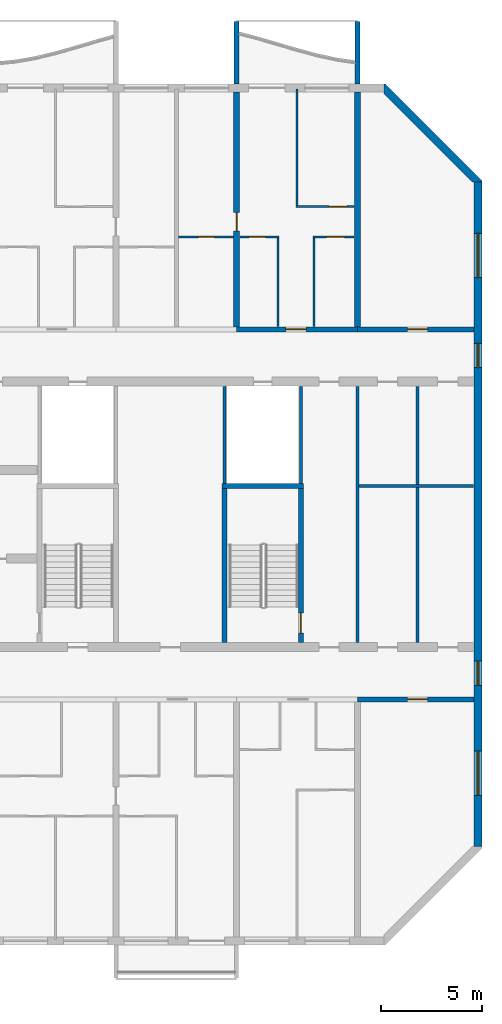
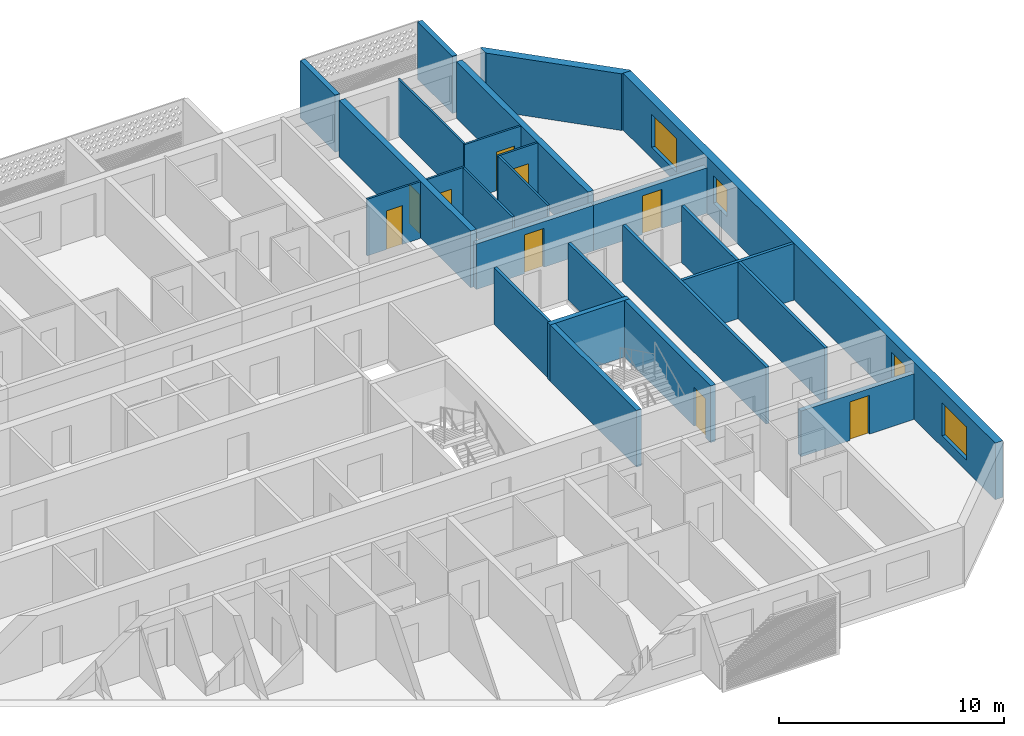
# One storey, part 12 of 32: 24 walls, 9 doors, 4 windows, 13 openings.
"""IFC4 building model written with IfcOpenShell, lengths in metres."""

import ifcopenshell
import ifcopenshell.guid

model = None  # the IFC model being written
_history = None  # IfcOwnerHistory: only IFC2X3 demands one
_inside = {}  # id of a spatial element -> (the spatial element, [elements in it])
_under = {}  # id of a project, library or spatial element -> (it, [spatial elements below it])
_declared = {}  # id of a project -> (the project, [libraries it declares])
_typed = {}  # id of a type object -> (the type object, [elements of that type])
_made_of = {}  # id of a material, layer set ... -> (it, [elements and type objects made of it])


def new_model(schema):
    """Start an empty IFC model of exactly this schema.

    Asked for "IFC4X3", IfcOpenShell would pick the latest addendum, in which some entities
    have other attributes; the version numbers below select the first issue.
    IFC2X3 requires an IfcOwnerHistory on every rooted entity: one is made here for all.
    """
    global model, _history
    if schema == "IFC4X3":
        model = ifcopenshell.file(schema_version=(4, 3, 0, 0))
    else:
        model = ifcopenshell.file(schema=schema)
    _inside.clear()
    _under.clear()
    _declared.clear()
    _typed.clear()
    _made_of.clear()
    _history = None
    if model.schema == "IFC2X3":
        org = make("IfcOrganization", Name="unknown")
        user = make(
            "IfcPersonAndOrganization",
            ThePerson=make("IfcPerson", FamilyName="unknown"),
            TheOrganization=org,
        )
        app = make(
            "IfcApplication",
            ApplicationDeveloper=org,
            Version="unknown",
            ApplicationFullName="unknown",
            ApplicationIdentifier="unknown",
        )
        _history = make(
            "IfcOwnerHistory",
            OwningUser=user,
            OwningApplication=app,
            ChangeAction="ADDED",
            CreationDate=0,
        )
    return model


def make(cls, **values):
    """One entity of the class cls with the attributes given. An attribute that is None is left unset."""
    return model.create_entity(
        cls, **{name: value for name, value in values.items() if value is not None}
    )


def rooted(cls, **values):
    """An entity with a GlobalId (a new one), such as an element, a storey or a relation."""
    return make(cls, GlobalId=ifcopenshell.guid.new(), OwnerHistory=_history, **values)


def si_unit(unit_type, name, prefix=None):
    """IfcSIUnit, for example si_unit("LENGTHUNIT", "METRE", prefix="MILLI")."""
    return make("IfcSIUnit", UnitType=unit_type, Prefix=prefix, Name=name)


def assignment(units):
    """IfcUnitAssignment: the units of a project."""
    return None if units is None else make("IfcUnitAssignment", Units=units)


def point(xyz):
    """IfcCartesianPoint."""
    return None if xyz is None else make("IfcCartesianPoint", Coordinates=xyz)


def direction(xyz):
    """IfcDirection."""
    return None if xyz is None else make("IfcDirection", DirectionRatios=xyz)


def frame(location, z_axis=None, x_axis=None):
    """IfcAxis2Placement3D, a coordinate frame: its origin and axes. An axis left out is left unset."""
    return make(
        "IfcAxis2Placement3D",
        Location=point(location),
        Axis=direction(z_axis),
        RefDirection=direction(x_axis),
    )


def frame_2d(location, x_axis=None):
    """IfcAxis2Placement2D, a coordinate frame in the plane: its origin and x axis."""
    return make(
        "IfcAxis2Placement2D", Location=point(location), RefDirection=direction(x_axis)
    )


def origin():
    """The frame at (0, 0, 0) with its axes left unset."""
    return frame((0.0, 0.0, 0.0))


def place(relative_to, where):
    """IfcLocalPlacement: puts the frame where relative to a parent placement (None: the world)."""
    return make(
        "IfcLocalPlacement", PlacementRelTo=relative_to, RelativePlacement=where
    )


def context(
    kind, dimensions, precision=None, world=None, true_north=None, identifier=None
):
    """IfcGeometricRepresentationContext, for example the 3D "Model" context."""
    return make(
        "IfcGeometricRepresentationContext",
        ContextIdentifier=identifier,
        ContextType=kind,
        CoordinateSpaceDimension=dimensions,
        Precision=precision,
        WorldCoordinateSystem=world,
        TrueNorth=true_north,
    )


def subcontext(parent, identifier, kind, view, scale=None):
    """IfcGeometricRepresentationSubContext, for example "Body" below "Model"."""
    return make(
        "IfcGeometricRepresentationSubContext",
        ContextIdentifier=identifier,
        ContextType=kind,
        ParentContext=parent,
        TargetScale=scale,
        TargetView=view,
    )


def project(units=None, contexts=None):
    """IfcProject with its units and contexts."""
    return rooted(
        "IfcProject",
        Name="project",
        RepresentationContexts=contexts,
        UnitsInContext=assignment(units),
    )


def spatial(cls, under=None, at=None, **own):
    """A site, building, storey or space (cls), placed at a placement, below another one or the project."""
    s = rooted(cls, ObjectPlacement=at, **own)
    if under is not None:
        _under.setdefault(under.id(), (under, []))[1].append(s)
    return s


def polyline(points):
    """IfcPolyline through the points."""
    return make("IfcPolyline", Points=[point(p) for p in points])


def profile(cls, at=None, kind="AREA", **sizes):
    """A parametric profile (cls). Its sizes go by their IFC names, for example OverallWidth=200.0."""
    return make(cls, ProfileType=kind, Position=at, **sizes)


def rectangle(**sizes):
    """IfcRectangleProfileDef."""
    return profile("IfcRectangleProfileDef", **sizes)


def outline(outer, holes=None, kind="AREA"):
    """IfcArbitraryClosedProfileDef: a profile drawn as a closed curve; with holes, ...WithVoids."""
    if holes is None:
        return make("IfcArbitraryClosedProfileDef", ProfileType=kind, OuterCurve=outer)
    return make(
        "IfcArbitraryProfileDefWithVoids",
        ProfileType=kind,
        OuterCurve=outer,
        InnerCurves=holes,
    )


def extrude(swept, where, along, depth):
    """IfcExtrudedAreaSolid: the profile swept, set in the frame where, extruded along a direction by depth."""
    return make(
        "IfcExtrudedAreaSolid",
        SweptArea=swept,
        Position=where,
        ExtrudedDirection=direction(along),
        Depth=depth,
    )


def shape(context_of_items, identifier, shape_type, items):
    """IfcShapeRepresentation: the items that make up one representation, for example the "Body"."""
    return make(
        "IfcShapeRepresentation",
        ContextOfItems=context_of_items,
        RepresentationIdentifier=identifier,
        RepresentationType=shape_type,
        Items=items,
    )


def source(mapping_origin, context_of_items, identifier, shape_type, items):
    """IfcRepresentationMap: a shape defined once, which mapped items show again and again."""
    return make(
        "IfcRepresentationMap",
        MappingOrigin=mapping_origin,
        MappedRepresentation=shape(context_of_items, identifier, shape_type, items),
    )


def transform(
    local_origin,
    x_axis=None,
    y_axis=None,
    z_axis=None,
    scale=None,
    scale2=None,
    scale3=None,
    uniform=True,
):
    """IfcCartesianTransformationOperator3D, or its non-uniform kind. x_axis, y_axis, z_axis: its Axis1, 2, 3."""
    if uniform:
        return make(
            "IfcCartesianTransformationOperator3D",
            Axis1=direction(x_axis),
            Axis2=direction(y_axis),
            LocalOrigin=point(local_origin),
            Scale=scale,
            Axis3=direction(z_axis),
        )
    return make(
        "IfcCartesianTransformationOperator3DnonUniform",
        Axis1=direction(x_axis),
        Axis2=direction(y_axis),
        LocalOrigin=point(local_origin),
        Scale=scale,
        Axis3=direction(z_axis),
        Scale2=scale2,
        Scale3=scale3,
    )


def mapped(mapping_source, mapping_target):
    """IfcMappedItem: shows the shape of a source again, moved by a transform."""
    return make(
        "IfcMappedItem", MappingSource=mapping_source, MappingTarget=mapping_target
    )


def material(Name=None, Category=None):
    """IfcMaterial."""
    return make("IfcMaterial", Name=Name, Category=Category)


def layer(
    of_material, thickness, ventilated=None, Name=None, Category=None, Priority=None
):
    """IfcMaterialLayer: one layer of a wall or slab, of a material (None: an air gap)."""
    return make(
        "IfcMaterialLayer",
        Material=of_material,
        LayerThickness=thickness,
        IsVentilated=ventilated,
        Name=Name,
        Category=Category,
        Priority=Priority,
    )


def layer_set(layers, Name=None):
    """IfcMaterialLayerSet."""
    return make("IfcMaterialLayerSet", MaterialLayers=layers, LayerSetName=Name)


def made_of(thing, what):
    """Note that an element or type object is made of a material, layer set ...; save() writes the relation."""
    if what is not None:
        _made_of.setdefault(what.id(), (what, []))[1].append(thing)
    return thing


def type_object(cls, material=None, **own):
    """A type object (cls), such as IfcWallType, which elements share."""
    return made_of(rooted(cls, **own), material)


def element(
    cls,
    number,
    at=None,
    inside=None,
    cuts=None,
    type_object=None,
    material=None,
    context=None,
    identifier="Body",
    shape_type=None,
    held_by="IfcProductDefinitionShape",
    body=None,
    shapes=None,
    **own,
):
    """One element of the class cls, such as IfcWall. Its Tag is "e" and its number.

    at: its placement. inside: the storey or other place that contains it. cuts: it is an
    opening in that element (IfcRelVoidsElement). A single representation is given by context,
    identifier, shape_type and body (its items); several are given by shapes. held_by: the class
    of the entity that holds the representations. save() writes the other relations.
    """
    e = rooted(cls, Tag="e%d" % number, ObjectPlacement=at, **own)
    if body is not None:
        shapes = [shape(context, identifier, shape_type, body)]
    if shapes is not None:
        e.Representation = make(held_by, Representations=shapes)
    if inside is not None:
        _inside.setdefault(inside.id(), (inside, []))[1].append(e)
    if cuts is not None:
        rooted(
            "IfcRelVoidsElement", RelatingBuildingElement=cuts, RelatedOpeningElement=e
        )
    if type_object is not None:
        _typed.setdefault(type_object.id(), (type_object, []))[1].append(e)
    return made_of(e, material)


def fill(opening, filler):
    """IfcRelFillsElement: the door or window that sits in an opening."""
    return rooted(
        "IfcRelFillsElement",
        RelatingOpeningElement=opening,
        RelatedBuildingElement=filler,
    )


def aggregate(whole, parts):
    """IfcRelAggregates: a whole, such as a stair, and the parts it consists of."""
    return rooted("IfcRelAggregates", RelatingObject=whole, RelatedObjects=parts)


def save(model, path):
    """Write the relations noted so far, then the file.

    IfcRelAggregates (storeys below a building ...), IfcRelContainedInSpatialStructure (elements
    in a storey), IfcRelDefinesByType, IfcRelAssociatesMaterial and IfcRelDeclares: one each for
    every whole, place, type object, material and project.
    """
    for whole, parts in _under.values():
        aggregate(whole, parts)
    for where, things in _inside.values():
        rooted(
            "IfcRelContainedInSpatialStructure",
            RelatedElements=things,
            RelatingStructure=where,
        )
    for kind, things in _typed.values():
        rooted("IfcRelDefinesByType", RelatedObjects=things, RelatingType=kind)
    for what, things in _made_of.values():
        rooted("IfcRelAssociatesMaterial", RelatedObjects=things, RelatingMaterial=what)
    for by, libraries in _declared.values():
        rooted("IfcRelDeclares", RelatingContext=by, RelatedDefinitions=libraries)
    model.write(path)


model = new_model("IFC4")

# Units and contexts
model_context = context("Model", 3, precision=1e-05, world=origin(), true_north=direction((0.0, 1.0)))
body_context = subcontext(model_context, "Body", "Model", "MODEL_VIEW")
ifc_project = project(units=[si_unit("LENGTHUNIT", "METRE"), si_unit("AREAUNIT", "SQUARE_METRE"), si_unit("VOLUMEUNIT", "CUBIC_METRE"), si_unit("PLANEANGLEUNIT", "RADIAN"), si_unit("MASSUNIT", "GRAM", prefix="KILO")], contexts=[model_context])

# Site, building, storey
site_placement = place(None, origin())
site = spatial("IfcSite", under=ifc_project, at=site_placement, CompositionType="ELEMENT")
building_placement = place(site_placement, origin())
building = spatial("IfcBuilding", under=site, at=building_placement, Name="Poui Terraces", CompositionType="ELEMENT")
storey_placement = place(building_placement, frame((0.0, 0.0, 129.0)))
storey = spatial("IfcBuildingStorey", under=building, at=storey_placement, Name="L35", CompositionType="ELEMENT", Elevation=129.0)

# Wall
ifc_material_1 = material(Name="Fire-rated plasterboard wall")
ifc_layer_1 = layer(ifc_material_1, 0.14990234375)
ifc_layer_set_1 = layer_set([ifc_layer_1], Name="Fire-rated plasterboard wall")
wall_type_1 = type_object("IfcWallType", Name="CORRIDOR WALL 150", PredefinedType="PARTITIONING", material=ifc_layer_set_1)
wall_1_placement = place(storey_placement, frame((84.0, 14.8349609375, 0.0), z_axis=(0.0, 0.0, 1.0), x_axis=(0.0, 1.0, 0.0)))
element("IfcWall", 1, at=wall_1_placement, inside=storey, type_object=wall_type_1, Name="CORRIDOR WALL 150", PredefinedType="PARTITIONING", context=body_context, shape_type="SweptSolid", body=[
    extrude(rectangle(XDim=12.72998046875, YDim=0.14990234375, at=frame_2d((6.364990234375, 0.0))), origin(), (0.0, 0.0, 1.0), 3.070068359375),
])

# Wall, opening, door
ifc_material_2 = material(Name="Concrete 65 MPa", Category="concrete")
ifc_layer_2 = layer(ifc_material_2, 0.25)
ifc_layer_set_2 = layer_set([ifc_layer_2], Name="Concrete 65 MPa")
wall_type_2 = type_object("IfcWallType", Name="CORRIDOR WALL 250 65MPa", PredefinedType="SHEAR", material=ifc_layer_set_2)
wall_2_placement = place(storey_placement, frame((84.0, 12.0, 0.0), z_axis=(0.0, 0.0, 1.0), x_axis=(1.0, 0.0, 0.0)))
wall_2 = element("IfcWall", 2, at=wall_2_placement, inside=storey, type_object=wall_type_2, Name="CORRIDOR WALL LINE B BAY 13", PredefinedType="SHEAR", context=body_context, shape_type="SweptSolid", body=[
    extrude(rectangle(XDim=5.800048828125, YDim=0.25, at=frame_2d((2.89990234375, 0.0))), origin(), (0.0, 0.0, 1.0), 2.469970703125),
])
opening_1_placement = place(wall_2_placement, frame((2.5, 0.0, 0.0)))
opening_1 = element("IfcOpeningElement", 3, at=opening_1_placement, cuts=wall_2, Name="Opening D100", PredefinedType="OPENING", context=body_context, shape_type="SweptSolid", body=[
    extrude(rectangle(XDim=1.0, YDim=2.10009765625, at=frame_2d((0.5, 1.050048828125))), frame((0.0, 0.135009765625, 0.0), z_axis=(0.0, -1.0, 0.0), x_axis=(1.0, 0.0, 0.0)), (0.0, 0.0, 1.0), 0.27001953125),
])
ifc_material_3 = material(Name="Solid core timber door", Category="wood")
door_type_1 = type_object("IfcDoorType", Name="ACCESSIBLE INTERNAL DOOR 1000 X 2100", OperationType="NOTDEFINED", PredefinedType="DOOR", material=ifc_material_3)
door_1_placement = place(opening_1_placement, frame((1.0, 0.0, 0.0), z_axis=(0.0, 0.0, 1.0), x_axis=(-1.0, 0.0, 0.0)))
door_1 = element("IfcDoor", 4, at=door_1_placement, inside=storey, type_object=door_type_1, Name="ACCESSIBLE INTERNAL DOOR 120", OperationType="SINGLE_SWING_RIGHT", OverallHeight=2.10009765625, OverallWidth=1.0, PredefinedType="DOOR", context=body_context, shape_type="SweptSolid", body=[
    extrude(rectangle(XDim=1.0, YDim=2.10009765625, at=frame_2d((0.5, 1.050048828125))), frame((0.0, 0.02490234375, 0.0), z_axis=(0.0, -1.0, 0.0), x_axis=(1.0, 0.0, 0.0)), (0.0, 0.0, 1.0), 0.050048828125),
])
fill(opening_1, door_1)

wall_3_placement = place(storey_placement, frame((78.0, 30.39990234375, 0.0), z_axis=(0.0, 0.0, 1.0), x_axis=(1.0, 0.0, 0.0)))
wall_3 = element("IfcWall", 5, at=wall_3_placement, inside=storey, type_object=wall_type_2, Name="CORRIDOR WALL LINE E BAY 12", PredefinedType="SHEAR", context=body_context, shape_type="SweptSolid", body=[
    extrude(rectangle(XDim=6.0, YDim=0.25, at=frame_2d((3.0, 0.0))), origin(), (0.0, 0.0, 1.0), 2.469970703125),
])
opening_2_placement = place(wall_3_placement, frame((2.449951171875, 0.0, 0.0)))
opening_2 = element("IfcOpeningElement", 6, at=opening_2_placement, cuts=wall_3, Name="Opening FD30S", PredefinedType="OPENING", context=body_context, shape_type="SweptSolid", body=[
    extrude(rectangle(XDim=1.0, YDim=2.10009765625, at=frame_2d((0.5, 1.050048828125))), frame((0.0, 0.135009765625, 0.0), z_axis=(0.0, -1.0, 0.0), x_axis=(1.0, 0.0, 0.0)), (0.0, 0.0, 1.0), 0.27001953125),
])
ifc_material_4 = material(Name="Steel fire door", Category="steel")
door_type_2 = type_object("IfcDoorType", Name="FLAT ENTRANCE DOOR 1000 X 2100", OperationType="NOTDEFINED", PredefinedType="DOOR", material=ifc_material_4)
door_2_placement = place(opening_2_placement, origin())
door_2 = element("IfcDoor", 7, at=door_2_placement, inside=storey, type_object=door_type_2, Name="FLAT ENTRANCE DOOR 074", OperationType="SINGLE_SWING_LEFT", OverallHeight=2.10009765625, OverallWidth=1.0, PredefinedType="DOOR", context=body_context, shape_type="SweptSolid", body=[
    extrude(rectangle(XDim=1.0, YDim=2.10009765625, at=frame_2d((0.5, 1.050048828125))), frame((0.0, 0.02490234375, 0.0), z_axis=(0.0, -1.0, 0.0), x_axis=(1.0, 0.0, 0.0)), (0.0, 0.0, 1.0), 0.050048828125),
])
fill(opening_2, door_2)

wall_4_placement = place(storey_placement, frame((84.0, 30.39990234375, 0.0), z_axis=(0.0, 0.0, 1.0), x_axis=(1.0, 0.0, 0.0)))
wall_4 = element("IfcWall", 8, at=wall_4_placement, inside=storey, type_object=wall_type_2, Name="CORRIDOR WALL LINE E BAY 13", PredefinedType="SHEAR", context=body_context, shape_type="SweptSolid", body=[
    extrude(rectangle(XDim=5.800048828125, YDim=0.25, at=frame_2d((2.89990234375, 0.0))), origin(), (0.0, 0.0, 1.0), 2.469970703125),
])
opening_3_placement = place(wall_4_placement, frame((2.5, 0.0, 0.0)))
opening_3 = element("IfcOpeningElement", 9, at=opening_3_placement, cuts=wall_4, Name="Opening D100", PredefinedType="OPENING", context=body_context, shape_type="SweptSolid", body=[
    extrude(rectangle(XDim=1.0, YDim=2.10009765625, at=frame_2d((0.5, 1.050048828125))), frame((0.0, 0.135009765625, 0.0), z_axis=(0.0, -1.0, 0.0), x_axis=(1.0, 0.0, 0.0)), (0.0, 0.0, 1.0), 0.27001953125),
])
door_3_placement = place(opening_3_placement, origin())
door_3 = element("IfcDoor", 10, at=door_3_placement, inside=storey, type_object=door_type_1, Name="ACCESSIBLE INTERNAL DOOR 077", OperationType="SINGLE_SWING_LEFT", OverallHeight=2.10009765625, OverallWidth=1.0, PredefinedType="DOOR", context=body_context, shape_type="SweptSolid", body=[
    extrude(rectangle(XDim=1.0, YDim=2.10009765625, at=frame_2d((0.5, 1.050048828125))), frame((0.0, 0.02490234375, 0.0), z_axis=(0.0, -1.0, 0.0), x_axis=(1.0, 0.0, 0.0)), (0.0, 0.0, 1.0), 0.050048828125),
])
fill(opening_3, door_3)

ifc_layer_3 = layer(ifc_material_2, 0.300048828125)
ifc_layer_set_3 = layer_set([ifc_layer_3], Name="Concrete 65 MPa")
wall_type_3 = type_object("IfcWallType", Name="CROSS WALL 300 65MPa", PredefinedType="SHEAR", material=ifc_layer_set_3)
wall_5_placement = place(storey_placement, frame((78.0, 30.52490234375, 0.0), z_axis=(0.0, 0.0, 1.0), x_axis=(0.0, 1.0, 0.0)))
wall_5 = element("IfcWall", 11, at=wall_5_placement, inside=storey, type_object=wall_type_3, Name="CROSS WALL LINE 14 NORTH", PredefinedType="SHEAR", context=body_context, shape_type="SweptSolid", body=[
    extrude(rectangle(XDim=11.675048828125, YDim=0.300048828125, at=frame_2d((5.83740234375, 0.0))), origin(), (0.0, 0.0, 1.0), 3.070068359375),
])
opening_4_placement = place(wall_5_placement, frame((4.77490234375, 0.0, 0.0)))
opening_4 = element("IfcOpeningElement", 12, at=opening_4_placement, cuts=wall_5, Name="Opening D90", PredefinedType="OPENING", context=body_context, shape_type="SweptSolid", body=[
    extrude(rectangle(XDim=0.89990234375, YDim=2.10009765625, at=frame_2d((0.449951171875, 1.050048828125))), frame((0.0, 0.16015625, 0.0), z_axis=(0.0, -1.0, 0.0), x_axis=(1.0, 0.0, 0.0)), (0.0, 0.0, 1.0), 0.320068359375),
])
door_type_3 = type_object("IfcDoorType", Name="INTERNAL DOOR 900 X 2100", OperationType="NOTDEFINED", PredefinedType="DOOR", material=ifc_material_3)
door_4_placement = place(opening_4_placement, origin())
door_4 = element("IfcDoor", 13, at=door_4_placement, inside=storey, type_object=door_type_3, Name="INTERNAL DOOR 072", OperationType="SINGLE_SWING_LEFT", OverallHeight=2.10009765625, OverallWidth=0.89990234375, PredefinedType="DOOR", context=body_context, shape_type="SweptSolid", body=[
    extrude(rectangle(XDim=0.89990234375, YDim=2.10009765625, at=frame_2d((0.449951171875, 1.050048828125))), frame((0.0, 0.02490234375, 0.0), z_axis=(0.0, -1.0, 0.0), x_axis=(1.0, 0.0, 0.0)), (0.0, 0.0, 1.0), 0.050048828125),
])
fill(opening_4, door_4)

# Wall
wall_6_placement = place(storey_placement, frame((84.0, 30.52490234375, 0.0), z_axis=(0.0, 0.0, 1.0), x_axis=(0.0, 1.0, 0.0)))
element("IfcWall", 14, at=wall_6_placement, inside=storey, type_object=wall_type_3, Name="CROSS WALL LINE 15 NORTH", PredefinedType="SHEAR", context=body_context, shape_type="SweptSolid", body=[
    extrude(rectangle(XDim=11.675048828125, YDim=0.300048828125, at=frame_2d((5.83740234375, 0.0))), origin(), (0.0, 0.0, 1.0), 3.070068359375),
])

# Wall, openings, windows
ifc_layer_4 = layer(ifc_material_2, 0.39990234375)
ifc_layer_set_4 = layer_set([ifc_layer_4], Name="Concrete 65 MPa")
wall_type_4 = type_object("IfcWallType", Name="END WALL 400 65MPa", PredefinedType="SHEAR", material=ifc_layer_set_4)
wall_7_placement = place(storey_placement, frame((90.0, 4.682861328125, 0.0), z_axis=(0.0, 0.0, 1.0), x_axis=(0.0, 1.0, 0.0)))
wall_7 = element("IfcWall", 15, at=wall_7_placement, inside=storey, type_object=wall_type_4, Name="END WALL EAST", PredefinedType="SHEAR", context=body_context, shape_type="SweptSolid", body=[
    extrude(rectangle(XDim=33.034423828125, YDim=0.39990234375, at=frame_2d((16.51708984375, 0.0))), origin(), (0.0, 0.0, 1.0), 3.070068359375),
])
opening_5_placement = place(wall_7_placement, frame((23.817138671875, 0.0, 0.89990234375)))
opening_5 = element("IfcOpeningElement", 16, at=opening_5_placement, cuts=wall_7, Name="Opening W2", PredefinedType="OPENING", context=body_context, shape_type="SweptSolid", body=[
    extrude(rectangle(XDim=1.199951171875, YDim=1.5, at=frame_2d((0.60009765625, 0.75))), frame((0.0, 0.2099609375, 0.0), z_axis=(0.0, -1.0, 0.0), x_axis=(1.0, 0.0, 0.0)), (0.0, 0.0, 1.0), 0.419921875),
])
opening_6_placement = place(wall_7_placement, frame((8.01708984375, 0.0, 0.89990234375)))
opening_6 = element("IfcOpeningElement", 17, at=opening_6_placement, cuts=wall_7, Name="Opening W2", PredefinedType="OPENING", context=body_context, shape_type="SweptSolid", body=[
    extrude(rectangle(XDim=1.199951171875, YDim=1.5, at=frame_2d((0.60009765625, 0.75))), frame((0.0, 0.2099609375, 0.0), z_axis=(0.0, -1.0, 0.0), x_axis=(1.0, 0.0, 0.0)), (0.0, 0.0, 1.0), 0.419921875),
])
opening_7_placement = place(wall_7_placement, frame((28.29345703125, 0.0, 0.60009765625)))
opening_7 = element("IfcOpeningElement", 18, at=opening_7_placement, cuts=wall_7, Name="Opening W3", PredefinedType="OPENING", context=body_context, shape_type="SweptSolid", body=[
    extrude(rectangle(XDim=2.199951171875, YDim=1.800048828125, at=frame_2d((1.10009765625, 0.89990234375))), frame((0.0, 0.2099609375, 0.0), z_axis=(0.0, -1.0, 0.0), x_axis=(1.0, 0.0, 0.0)), (0.0, 0.0, 1.0), 0.419921875),
])
opening_8_placement = place(wall_7_placement, frame((2.541015625, 0.0, 0.60009765625)))
opening_8 = element("IfcOpeningElement", 19, at=opening_8_placement, cuts=wall_7, Name="Opening W3", PredefinedType="OPENING", context=body_context, shape_type="SweptSolid", body=[
    extrude(rectangle(XDim=2.199951171875, YDim=1.800048828125, at=frame_2d((1.10009765625, 0.89990234375))), frame((0.0, 0.2099609375, 0.0), z_axis=(0.0, -1.0, 0.0), x_axis=(1.0, 0.0, 0.0)), (0.0, 0.0, 1.0), 0.419921875),
])
ifc_material_5 = material(Name="Clear glass in aluminium frame", Category="aluminium")
window_type_1 = type_object("IfcWindowType", Name="WINDOW 1200X1500", PartitioningType="SINGLE_PANEL", PredefinedType="WINDOW", material=ifc_material_5)
window_1_placement = place(opening_5_placement, origin())
window_1 = element("IfcWindow", 20, at=window_1_placement, inside=storey, type_object=window_type_1, Name="W2 WINDOW", OverallHeight=1.5, OverallWidth=1.199951171875, PartitioningType="SINGLE_PANEL", PredefinedType="WINDOW", context=body_context, shape_type="SweptSolid", body=[
    extrude(rectangle(XDim=1.199951171875, YDim=1.5, at=frame_2d((0.60009765625, 0.75))), frame((0.0, 0.030029296875, 0.0), z_axis=(0.0, -1.0, 0.0), x_axis=(1.0, 0.0, 0.0)), (0.0, 0.0, 1.0), 0.06005859375),
])
fill(opening_5, window_1)
window_2_placement = place(opening_6_placement, origin())
window_2 = element("IfcWindow", 21, at=window_2_placement, inside=storey, type_object=window_type_1, Name="W2 WINDOW", OverallHeight=1.5, OverallWidth=1.199951171875, PartitioningType="SINGLE_PANEL", PredefinedType="WINDOW", context=body_context, shape_type="SweptSolid", body=[
    extrude(rectangle(XDim=1.199951171875, YDim=1.5, at=frame_2d((0.60009765625, 0.75))), frame((0.0, 0.030029296875, 0.0), z_axis=(0.0, -1.0, 0.0), x_axis=(1.0, 0.0, 0.0)), (0.0, 0.0, 1.0), 0.06005859375),
])
fill(opening_6, window_2)
window_type_2 = type_object("IfcWindowType", Name="WINDOW 2200X1800", PartitioningType="DOUBLE_PANEL_HORIZONTAL", PredefinedType="WINDOW", material=ifc_material_5)
window_3_placement = place(opening_7_placement, origin())
window_3 = element("IfcWindow", 22, at=window_3_placement, inside=storey, type_object=window_type_2, Name="W3 WINDOW", OverallHeight=1.800048828125, OverallWidth=2.199951171875, PartitioningType="DOUBLE_PANEL_HORIZONTAL", PredefinedType="WINDOW", context=body_context, shape_type="SweptSolid", body=[
    extrude(rectangle(XDim=2.199951171875, YDim=1.800048828125, at=frame_2d((1.10009765625, 0.89990234375))), frame((0.0, 0.030029296875, 0.0), z_axis=(0.0, -1.0, 0.0), x_axis=(1.0, 0.0, 0.0)), (0.0, 0.0, 1.0), 0.06005859375),
])
fill(opening_7, window_3)
window_4_placement = place(opening_8_placement, origin())
window_4 = element("IfcWindow", 23, at=window_4_placement, inside=storey, type_object=window_type_2, Name="W3 WINDOW", OverallHeight=1.800048828125, OverallWidth=2.199951171875, PartitioningType="DOUBLE_PANEL_HORIZONTAL", PredefinedType="WINDOW", context=body_context, shape_type="SweptSolid", body=[
    extrude(rectangle(XDim=2.199951171875, YDim=1.800048828125, at=frame_2d((1.10009765625, 0.89990234375))), frame((0.0, 0.030029296875, 0.0), z_axis=(0.0, -1.0, 0.0), x_axis=(1.0, 0.0, 0.0)), (0.0, 0.0, 1.0), 0.06005859375),
])
fill(opening_8, window_4)

# Wall, opening, door
ifc_material_6 = material(Name="Plasterboard partition")
ifc_layer_5 = layer(ifc_material_6, 0.10009765625)
ifc_layer_set_5 = layer_set([ifc_layer_5], Name="Plasterboard partition")
wall_type_5 = type_object("IfcWallType", Name="FLAT PARTITION 100", PredefinedType="PARTITIONING", material=ifc_layer_set_5)
wall_8_placement = place(storey_placement, frame((75.10009765625, 35.0, 0.0), z_axis=(0.0, 0.0, 1.0), x_axis=(1.0, 0.0, 0.0)))
wall_8 = element("IfcWall", 24, at=wall_8_placement, inside=storey, type_object=wall_type_5, Name="FLAT PARTITION 100", PredefinedType="PARTITIONING", context=body_context, shape_type="SweptSolid", body=[
    extrude(rectangle(XDim=2.739990234375, YDim=0.10009765625, at=frame_2d((1.3701171875, 0.0))), origin(), (0.0, 0.0, 1.0), 3.070068359375),
])
opening_9_placement = place(wall_8_placement, frame((1.0, 0.0, 0.0)))
opening_9 = element("IfcOpeningElement", 25, at=opening_9_placement, cuts=wall_8, Name="Opening D80", PredefinedType="OPENING", context=body_context, shape_type="SweptSolid", body=[
    extrude(rectangle(XDim=0.800048828125, YDim=2.10009765625, at=frame_2d((0.39990234375, 1.050048828125))), frame((0.0, 0.06005859375, 0.0), z_axis=(0.0, -1.0, 0.0), x_axis=(1.0, 0.0, 0.0)), (0.0, 0.0, 1.0), 0.1201171875),
])
door_type_4 = type_object("IfcDoorType", Name="BATHROOM, LAUNDRY AND STORE DOOR 800 X 2100", OperationType="NOTDEFINED", PredefinedType="DOOR", material=ifc_material_3)
door_5_placement = place(opening_9_placement, frame((0.800048828125, 0.0, 0.0), z_axis=(0.0, 0.0, 1.0), x_axis=(-1.0, 0.0, 0.0)))
door_5 = element("IfcDoor", 26, at=door_5_placement, inside=storey, type_object=door_type_4, Name="BATHROOM, LAUNDRY AND STORE DOOR 071", OperationType="SINGLE_SWING_RIGHT", OverallHeight=2.10009765625, OverallWidth=0.800048828125, PredefinedType="DOOR", context=body_context, shape_type="SweptSolid", body=[
    extrude(rectangle(XDim=0.800048828125, YDim=2.10009765625, at=frame_2d((0.39990234375, 1.050048828125))), frame((0.0, 0.02490234375, 0.0), z_axis=(0.0, -1.0, 0.0), x_axis=(1.0, 0.0, 0.0)), (0.0, 0.0, 1.0), 0.050048828125),
])
fill(opening_9, door_5)

wall_9_placement = place(storey_placement, frame((78.159912109375, 35.0, 0.0), z_axis=(0.0, 0.0, 1.0), x_axis=(1.0, 0.0, 0.0)))
wall_9 = element("IfcWall", 27, at=wall_9_placement, inside=storey, type_object=wall_type_5, Name="FLAT PARTITION 100", PredefinedType="PARTITIONING", context=body_context, shape_type="SweptSolid", body=[
    extrude(rectangle(XDim=1.940185546875, YDim=0.10009765625, at=frame_2d((0.97021484375, 0.0))), origin(), (0.0, 0.0, 1.0), 3.070068359375),
])
opening_10_placement = place(wall_9_placement, frame((0.465087890625, 0.0, 0.0)))
opening_10 = element("IfcOpeningElement", 28, at=opening_10_placement, cuts=wall_9, Name="Opening D80", PredefinedType="OPENING", context=body_context, shape_type="SweptSolid", body=[
    extrude(rectangle(XDim=0.800048828125, YDim=2.10009765625, at=frame_2d((0.39990234375, 1.050048828125))), frame((0.0, 0.06005859375, 0.0), z_axis=(0.0, -1.0, 0.0), x_axis=(1.0, 0.0, 0.0)), (0.0, 0.0, 1.0), 0.1201171875),
])
door_6_placement = place(opening_10_placement, frame((0.800048828125, 0.0, 0.0), z_axis=(0.0, 0.0, 1.0), x_axis=(-1.0, 0.0, 0.0)))
door_6 = element("IfcDoor", 29, at=door_6_placement, inside=storey, type_object=door_type_4, Name="BATHROOM, LAUNDRY AND STORE DOOR 073", OperationType="SINGLE_SWING_RIGHT", OverallHeight=2.10009765625, OverallWidth=0.800048828125, PredefinedType="DOOR", context=body_context, shape_type="SweptSolid", body=[
    extrude(rectangle(XDim=0.800048828125, YDim=2.10009765625, at=frame_2d((0.39990234375, 1.050048828125))), frame((0.0, 0.02490234375, 0.0), z_axis=(0.0, -1.0, 0.0), x_axis=(1.0, 0.0, 0.0)), (0.0, 0.0, 1.0), 0.050048828125),
])
fill(opening_10, door_6)

wall_10_placement = place(storey_placement, frame((81.800048828125, 35.0, 0.0), z_axis=(0.0, 0.0, 1.0), x_axis=(1.0, 0.0, 0.0)))
wall_10 = element("IfcWall", 30, at=wall_10_placement, inside=storey, type_object=wall_type_5, Name="FLAT PARTITION 100", PredefinedType="PARTITIONING", context=body_context, shape_type="SweptSolid", body=[
    extrude(rectangle(XDim=2.0400390625, YDim=0.10009765625, at=frame_2d((1.02001953125, 0.0))), origin(), (0.0, 0.0, 1.0), 3.070068359375),
])
opening_11_placement = place(wall_10_placement, frame((0.675048828125, 0.0, 0.0)))
opening_11 = element("IfcOpeningElement", 31, at=opening_11_placement, cuts=wall_10, Name="Opening D90", PredefinedType="OPENING", context=body_context, shape_type="SweptSolid", body=[
    extrude(rectangle(XDim=0.89990234375, YDim=2.10009765625, at=frame_2d((0.449951171875, 1.050048828125))), frame((0.0, 0.06005859375, 0.0), z_axis=(0.0, -1.0, 0.0), x_axis=(1.0, 0.0, 0.0)), (0.0, 0.0, 1.0), 0.1201171875),
])
door_7_placement = place(opening_11_placement, frame((0.89990234375, 0.0, 0.0), z_axis=(0.0, 0.0, 1.0), x_axis=(-1.0, 0.0, 0.0)))
door_7 = element("IfcDoor", 32, at=door_7_placement, inside=storey, type_object=door_type_3, Name="INTERNAL DOOR 075", OperationType="SINGLE_SWING_LEFT", OverallHeight=2.10009765625, OverallWidth=0.89990234375, PredefinedType="DOOR", context=body_context, shape_type="SweptSolid", body=[
    extrude(rectangle(XDim=0.89990234375, YDim=2.10009765625, at=frame_2d((0.449951171875, 1.050048828125))), frame((0.0, 0.02490234375, 0.0), z_axis=(0.0, -1.0, 0.0), x_axis=(1.0, 0.0, 0.0)), (0.0, 0.0, 1.0), 0.050048828125),
])
fill(opening_11, door_7)

wall_11_placement = place(storey_placement, frame((80.949951171875, 36.5, 0.0), z_axis=(0.0, 0.0, 1.0), x_axis=(1.0, 0.0, 0.0)))
wall_11 = element("IfcWall", 33, at=wall_11_placement, inside=storey, type_object=wall_type_5, Name="FLAT PARTITION 100", PredefinedType="PARTITIONING", context=body_context, shape_type="SweptSolid", body=[
    extrude(rectangle(XDim=2.89013671875, YDim=0.10009765625, at=frame_2d((1.445068359375, 0.0))), origin(), (0.0, 0.0, 1.0), 3.070068359375),
])
opening_12_placement = place(wall_11_placement, frame((1.64990234375, 0.0, 0.0)))
opening_12 = element("IfcOpeningElement", 34, at=opening_12_placement, cuts=wall_11, Name="Opening D90", PredefinedType="OPENING", context=body_context, shape_type="SweptSolid", body=[
    extrude(rectangle(XDim=0.89990234375, YDim=2.10009765625, at=frame_2d((0.449951171875, 1.050048828125))), frame((0.0, 0.06005859375, 0.0), z_axis=(0.0, -1.0, 0.0), x_axis=(1.0, 0.0, 0.0)), (0.0, 0.0, 1.0), 0.1201171875),
])
door_8_placement = place(opening_12_placement, frame((0.89990234375, 0.0, 0.0), z_axis=(0.0, 0.0, 1.0), x_axis=(-1.0, 0.0, 0.0)))
door_8 = element("IfcDoor", 35, at=door_8_placement, inside=storey, type_object=door_type_3, Name="INTERNAL DOOR 076", OperationType="SINGLE_SWING_RIGHT", OverallHeight=2.10009765625, OverallWidth=0.89990234375, PredefinedType="DOOR", context=body_context, shape_type="SweptSolid", body=[
    extrude(rectangle(XDim=0.89990234375, YDim=2.10009765625, at=frame_2d((0.449951171875, 1.050048828125))), frame((0.0, 0.02490234375, 0.0), z_axis=(0.0, -1.0, 0.0), x_axis=(1.0, 0.0, 0.0)), (0.0, 0.0, 1.0), 0.050048828125),
])
fill(opening_12, door_8)

# Walls
wall_12_placement = place(storey_placement, frame((80.050048828125, 30.534912109375, 0.0), z_axis=(0.0, 0.0, 1.0), x_axis=(0.0, 1.0, 0.0)))
element("IfcWall", 36, at=wall_12_placement, inside=storey, type_object=wall_type_5, Name="FLAT PARTITION 100", PredefinedType="PARTITIONING", context=body_context, shape_type="SweptSolid", body=[
    extrude(rectangle(XDim=4.4150390625, YDim=0.10009765625, at=frame_2d((2.20751953125, 0.0))), origin(), (0.0, 0.0, 1.0), 3.070068359375),
])
wall_13_placement = place(storey_placement, frame((81.0, 36.550048828125, 0.0), z_axis=(0.0, 0.0, 1.0), x_axis=(0.0, 1.0, 0.0)))
element("IfcWall", 37, at=wall_13_placement, inside=storey, type_object=wall_type_5, Name="FLAT PARTITION 100", PredefinedType="PARTITIONING", context=body_context, shape_type="SweptSolid", body=[
    extrude(rectangle(XDim=5.7900390625, YDim=0.10009765625, at=frame_2d((2.89501953125, 0.0))), origin(), (0.0, 0.0, 1.0), 3.070068359375),
])
wall_14_placement = place(storey_placement, frame((81.85009765625, 30.534912109375, 0.0), z_axis=(0.0, 0.0, 1.0), x_axis=(0.0, 1.0, 0.0)))
element("IfcWall", 38, at=wall_14_placement, inside=storey, type_object=wall_type_5, Name="FLAT PARTITION 100", PredefinedType="PARTITIONING", context=body_context, shape_type="SweptSolid", body=[
    extrude(rectangle(XDim=4.4150390625, YDim=0.10009765625, at=frame_2d((2.20751953125, 0.0))), origin(), (0.0, 0.0, 1.0), 3.070068359375),
])
ifc_layer_6 = layer(ifc_material_6, 0.14990234375)
ifc_layer_set_6 = layer_set([ifc_layer_6], Name="Plasterboard partition")
wall_type_6 = type_object("IfcWallType", Name="PARTITION WALL 150", PredefinedType="PARTITIONING", material=ifc_layer_set_6)
wall_15_placement = place(storey_placement, frame((84.074951171875, 22.60009765625, 0.0), z_axis=(0.0, 0.0, 1.0), x_axis=(1.0, 0.0, 0.0)))
element("IfcWall", 39, at=wall_15_placement, inside=storey, type_object=wall_type_6, Name="PARTITION WALL 150", PredefinedType="PARTITIONING", context=body_context, shape_type="SweptSolid", body=[
    extrude(rectangle(XDim=5.715087890625, YDim=0.14990234375, at=frame_2d((2.857421875, 0.0))), origin(), (0.0, 0.0, 1.0), 3.070068359375),
])
wall_16_placement = place(storey_placement, frame((87.0, 14.8349609375, 0.0), z_axis=(0.0, 0.0, 1.0), x_axis=(0.0, 1.0, 0.0)))
element("IfcWall", 40, at=wall_16_placement, inside=storey, type_object=wall_type_6, Name="PARTITION WALL 150", PredefinedType="PARTITIONING", context=body_context, shape_type="SweptSolid", body=[
    extrude(rectangle(XDim=12.72998046875, YDim=0.14990234375, at=frame_2d((6.364990234375, 0.0))), origin(), (0.0, 0.0, 1.0), 3.070068359375),
])
ifc_material_7 = material(Name="Fire-rated plasterboard riser wall")
ifc_layer_7 = layer(ifc_material_7, 0.14990234375)
ifc_layer_set_7 = layer_set([ifc_layer_7], Name="Fire-rated plasterboard riser wall")
wall_type_7 = type_object("IfcWallType", Name="RISER WALL 150", PredefinedType="PARTITIONING", material=ifc_layer_set_7)
for number, where, z_axis, x_axis, name in (
    (41, (77.39990234375, 22.735107421875, 0.0), (0.0, 0.0, 1.0), (0.0, 1.0, 0.0), "RISER WALL 150"),
    (42, (81.199951171875, 22.735107421875, 0.0), (0.0, 0.0, 1.0), (0.0, 1.0, 0.0), "RISER WALL 150"),
):
    element("IfcWall", number, at=place(storey_placement, frame(where, z_axis=z_axis, x_axis=x_axis)), inside=storey, type_object=wall_type_7, Name=name, PredefinedType="PARTITIONING", context=body_context, shape_type="SweptSolid", body=[
        extrude(rectangle(XDim=4.829833984375, YDim=0.14990234375, at=frame_2d((2.4150390625, 0.0))), origin(), (0.0, 0.0, 1.0), 3.070068359375),
    ])
ifc_layer_8 = layer(ifc_material_2, 0.25)
ifc_layer_set_8 = layer_set([ifc_layer_8], Name="Concrete 65 MPa")
wall_type_8 = type_object("IfcWallType", Name="STAIR CORE WALL 250 65 MPA", PredefinedType="SOLIDWALL", material=ifc_layer_set_8)
wall_17_placement = place(storey_placement, frame((77.39990234375, 14.824951171875, 0.0), z_axis=(0.0, 0.0, 1.0), x_axis=(0.0, 1.0, 0.0)))
element("IfcWall", 43, at=wall_17_placement, inside=storey, type_object=wall_type_8, Name="STAIR CORE WALL", PredefinedType="SOLIDWALL", context=body_context, shape_type="SweptSolid", body=[
    extrude(rectangle(XDim=7.650146484375, YDim=0.25, at=frame_2d((3.8251953125, 0.0))), origin(), (0.0, 0.0, 1.0), 3.070068359375),
])

# Wall, opening, door
wall_18_placement = place(storey_placement, frame((81.199951171875, 14.824951171875, 0.0), z_axis=(0.0, 0.0, 1.0), x_axis=(0.0, 1.0, 0.0)))
wall_18 = element("IfcWall", 44, at=wall_18_placement, inside=storey, type_object=wall_type_8, Name="STAIR CORE WALL", PredefinedType="SOLIDWALL", context=body_context, shape_type="SweptSolid", body=[
    extrude(rectangle(XDim=7.650146484375, YDim=0.25, at=frame_2d((3.8251953125, 0.0))), origin(), (0.0, 0.0, 1.0), 3.070068359375),
])
opening_13_placement = place(wall_18_placement, frame((0.47509765625, 0.0, 0.0)))
opening_13 = element("IfcOpeningElement", 45, at=opening_13_placement, cuts=wall_18, Name="Opening FD60S", PredefinedType="OPENING", context=body_context, shape_type="SweptSolid", body=[
    extrude(rectangle(XDim=1.0, YDim=2.10009765625, at=frame_2d((0.5, 1.050048828125))), frame((0.0, 0.135009765625, 0.0), z_axis=(0.0, -1.0, 0.0), x_axis=(1.0, 0.0, 0.0)), (0.0, 0.0, 1.0), 0.27001953125),
])
door_type_5 = type_object("IfcDoorType", Name="STAIR DOOR 1000 X 2100", OperationType="NOTDEFINED", PredefinedType="DOOR", material=ifc_material_4)
door_9_placement = place(opening_13_placement, origin())
door_9 = element("IfcDoor", 46, at=door_9_placement, inside=storey, type_object=door_type_5, Name="STAIR DOOR 136", OperationType="SINGLE_SWING_LEFT", OverallHeight=2.10009765625, OverallWidth=1.0, PredefinedType="DOOR", context=body_context, shape_type="SweptSolid", body=[
    extrude(rectangle(XDim=1.0, YDim=2.10009765625, at=frame_2d((0.5, 1.050048828125))), frame((0.0, 0.02490234375, 0.0), z_axis=(0.0, -1.0, 0.0), x_axis=(1.0, 0.0, 0.0)), (0.0, 0.0, 1.0), 0.050048828125),
])
fill(opening_13, door_9)

# Walls
wall_19_placement = place(storey_placement, frame((77.27490234375, 22.60009765625, 0.0), z_axis=(0.0, 0.0, 1.0), x_axis=(1.0, 0.0, 0.0)))
element("IfcWall", 47, at=wall_19_placement, inside=storey, type_object=wall_type_8, Name="STAIR CORE WALL", PredefinedType="SOLIDWALL", context=body_context, shape_type="SweptSolid", body=[
    extrude(rectangle(XDim=4.050048828125, YDim=0.25, at=frame_2d((2.02490234375, 0.0))), origin(), (0.0, 0.0, 1.0), 3.070068359375),
])
ifc_material_8 = material(Name="Precast concrete 40 MPa", Category="concrete")
ifc_layer_9 = layer(ifc_material_8, 0.39990234375)
ifc_layer_set_9 = layer_set([ifc_layer_9], Name="Precast concrete 40 MPa")
wall_type_9 = type_object("IfcWallType", Name="TERRACOTTA CLAD CHAMFER WALL 400", PredefinedType="STANDARD", material=ifc_layer_set_9)
wall_20_placement = place(storey_placement, origin())
element("IfcWall", 48, at=wall_20_placement, inside=storey, type_object=wall_type_9, Name="CHAMFER WALL CH03", PredefinedType="STANDARD", context=body_context, shape_type="SweptSolid", body=[
    extrude(outline(polyline([(90.199951171875, 37.71728515625), (90.199951171875, 37.800048828125), (85.39990234375, 42.60009765625), (85.317138671875, 42.60009765625), (85.317138671875, 42.1171875), (89.71728515625, 37.71728515625), (90.199951171875, 37.71728515625)])), origin(), (0.0, 0.0, 1.0), 3.070068359375),
])
ifc_layer_10 = layer(ifc_material_8, 0.25)
ifc_layer_set_10 = layer_set([ifc_layer_10], Name="Precast concrete 40 MPa")
wall_type_10 = type_object("IfcWallType", Name="BALCONY FIN 250", PredefinedType="STANDARD", material=ifc_layer_set_10)
shared_shape = source(origin(), body_context, "Body", "SweptSolid", [
    extrude(outline(polyline([(0.0, 0.0), (0.25, 0.0), (0.25, 3.099853515625), (0.0, 3.099853515625), (0.0, 0.0)])), origin(), (0.0, 0.0, 1.0), 3.10009765625),
])
for number, where, name in (
    (49, (77.875, 42.60009765625, 0.0), "BALCONY FIN"),
    (50, (83.875, 42.60009765625, 0.0), "BALCONY FIN"),
):
    element("IfcWall", number, at=place(storey_placement, frame(where)), inside=storey, type_object=wall_type_10, Name=name, PredefinedType="STANDARD", context=body_context, shape_type="MappedRepresentation", body=[
        mapped(shared_shape, transform((0.0, 0.0, 0.0))),
    ])

save(model, "model.ifc")
